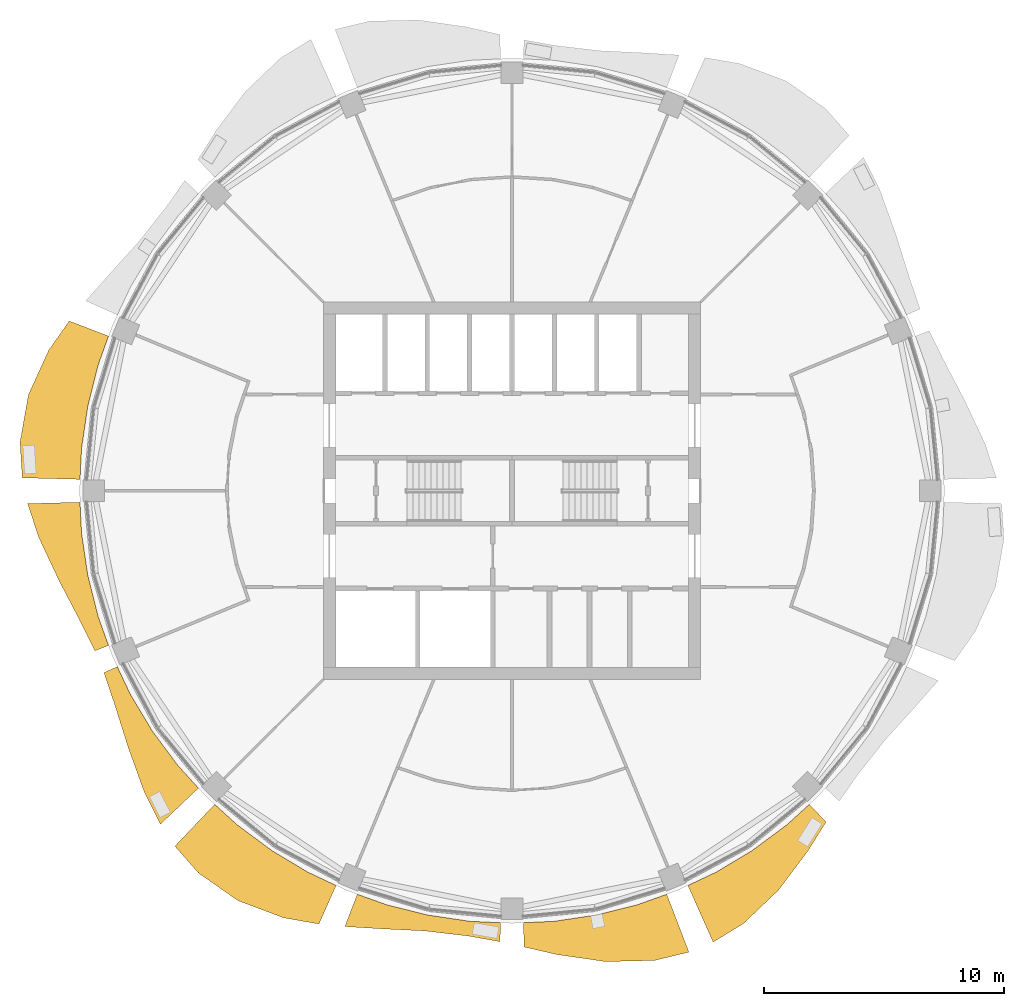
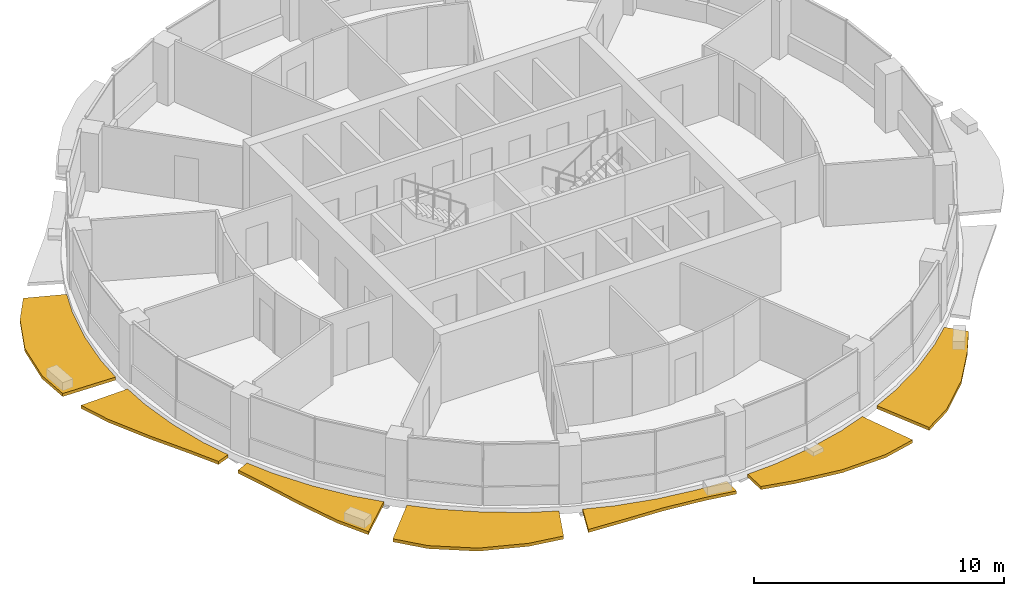
# One storey, part 12 of 15: 7 shading devices.
"""IFC4 building model written with IfcOpenShell, lengths in metres."""

from ifc_helpers import new_model, si_unit, direction, frame, origin, place, context, subcontext, project, spatial, polyline, outline, extrude, material, type_object, element, save


model = new_model("IFC4")

# Units and contexts
model_context = context("Model", 3, precision=1e-05, world=origin(), true_north=direction((0.0, 1.0)))
body_context = subcontext(model_context, "Body", "Model", "MODEL_VIEW")
ifc_project = project(units=[si_unit("LENGTHUNIT", "METRE"), si_unit("AREAUNIT", "SQUARE_METRE"), si_unit("VOLUMEUNIT", "CUBIC_METRE"), si_unit("PLANEANGLEUNIT", "RADIAN"), si_unit("MASSUNIT", "GRAM", prefix="KILO")], contexts=[model_context])

# Site, building, storey
site_placement = place(None, origin())
site = spatial("IfcSite", under=ifc_project, at=site_placement, CompositionType="ELEMENT")
building_placement = place(site_placement, origin())
building = spatial("IfcBuilding", under=site, at=building_placement, Name="Polderwave Tower", CompositionType="ELEMENT")
storey_placement = place(building_placement, frame((0.0, 0.0, 191.0)))
storey = spatial("IfcBuildingStorey", under=building, at=storey_placement, Name="L51", CompositionType="ELEMENT", Elevation=191.0)

# Shading devices
ifc_material = material(Name="Terracotta", Category="masonry")
shading_device_type = type_object("IfcShadingDeviceType", Name="Terracotta sunshade band", PredefinedType="USERDEFINED", material=ifc_material)
shading_device_1_placement = place(storey_placement, frame((0.0, 0.0, -0.35009765625)))
element("IfcShadingDevice", 1, at=shading_device_1_placement, inside=storey, type_object=shading_device_type, Name="Sunshade band L51 8", ObjectType="SUNSHADE", PredefinedType="USERDEFINED", context=body_context, shape_type="SweptSolid", body=[
    extrude(outline(polyline([(-16.8369140625, 6.45751953125), (-17.272705078125, 5.239501953125), (-17.703125, 3.521484375), (-17.963134765625, 1.769287109375), (-18.026611328125, 0.477294921875), (-20.436279296875, 0.541015625), (-20.531494140625, 2.022216796875), (-20.17822265625, 4.013671875), (-19.334716796875, 5.864990234375), (-18.4775390625, 7.0869140625), (-16.8369140625, 6.45751953125)])), origin(), (0.0, 0.0, 1.0), 0.150146484375),
])
shading_device_2_placement = place(storey_placement, frame((0.0, 0.0, -0.35009765625)))
element("IfcShadingDevice", 2, at=shading_device_2_placement, inside=storey, type_object=shading_device_type, Name="Sunshade band L51 9", ObjectType="SUNSHADE", PredefinedType="USERDEFINED", context=body_context, shape_type="SweptSolid", body=[
    extrude(outline(polyline([(-18.026611328125, -0.477294921875), (-17.963134765625, -1.769287109375), (-17.703125, -3.521484375), (-17.272705078125, -5.239501953125), (-16.8369140625, -6.45751953125), (-17.4091796875, -6.677001953125), (-18.0087890625, -5.462890625), (-18.89794921875, -3.759033203125), (-19.75048828125, -1.9453125), (-20.212890625, -0.53515625), (-18.026611328125, -0.477294921875)])), origin(), (0.0, 0.0, 1.0), 0.150146484375),
])
shading_device_3_placement = place(storey_placement, frame((0.0, 0.0, -0.35009765625)))
element("IfcShadingDevice", 3, at=shading_device_3_placement, inside=storey, type_object=shading_device_type, Name="Sunshade band L51 10", ObjectType="SUNSHADE", PredefinedType="USERDEFINED", context=body_context, shape_type="SweptSolid", body=[
    extrude(outline(polyline([(-16.4716796875, -7.33935546875), (-15.918701171875, -8.5087890625), (-15.008056640625, -10.028076171875), (-13.952880859375, -11.45068359375), (-13.083984375, -12.4091796875), (-14.669921875, -13.913330078125), (-15.339599609375, -12.589111328125), (-16.019287109375, -10.703857421875), (-16.595947265625, -8.87060546875), (-17.03125, -7.588623046875), (-16.4716796875, -7.33935546875)])), origin(), (0.0, 0.0, 1.0), 0.150146484375),
])
shading_device_4_placement = place(storey_placement, frame((0.0, 0.0, -0.35009765625)))
element("IfcShadingDevice", 4, at=shading_device_4_placement, inside=storey, type_object=shading_device_type, Name="Sunshade band L51 11", ObjectType="SUNSHADE", PredefinedType="USERDEFINED", context=body_context, shape_type="SweptSolid", body=[
    extrude(outline(polyline([(-12.4091796875, -13.083984375), (-11.45068359375, -13.952880859375), (-10.028076171875, -15.008056640625), (-8.5087890625, -15.918701171875), (-7.33935546875, -16.4716796875), (-8.055419921875, -18.07861328125), (-9.525146484375, -17.820556640625), (-11.430419921875, -17.10693359375), (-13.087890625, -15.94775390625), (-14.0673828125, -14.832275390625), (-12.4091796875, -13.083984375)])), origin(), (0.0, 0.0, 1.0), 0.150146484375),
])
shading_device_5_placement = place(storey_placement, frame((0.0, 0.0, -0.35009765625)))
element("IfcShadingDevice", 5, at=shading_device_5_placement, inside=storey, type_object=shading_device_type, Name="Sunshade band L51 12", ObjectType="SUNSHADE", PredefinedType="USERDEFINED", context=body_context, shape_type="SweptSolid", body=[
    extrude(outline(polyline([(-6.45751953125, -16.8369140625), (-5.239501953125, -17.272705078125), (-3.521484375, -17.703125), (-1.769287109375, -17.963134765625), (-0.477294921875, -18.026611328125), (-0.498046875, -18.815673828125), (-1.829833984375, -18.5791015625), (-3.6533203125, -18.36669921875), (-5.543212890625, -18.27294921875), (-6.974365234375, -18.18408203125), (-6.45751953125, -16.8369140625)])), origin(), (0.0, 0.0, 1.0), 0.150146484375),
])
shading_device_6_placement = place(storey_placement, frame((0.0, 0.0, -0.35009765625)))
element("IfcShadingDevice", 6, at=shading_device_6_placement, inside=storey, type_object=shading_device_type, Name="Sunshade band L51 13", ObjectType="SUNSHADE", PredefinedType="USERDEFINED", context=body_context, shape_type="SweptSolid", body=[
    extrude(outline(polyline([(0.477294921875, -18.026611328125), (1.769287109375, -17.963134765625), (3.521484375, -17.703125), (5.239501953125, -17.272705078125), (6.45751953125, -16.8369140625), (7.384033203125, -19.252685546875), (5.9453125, -19.59912109375), (3.907958984375, -19.646728515625), (1.90673828125, -19.360107421875), (0.50390625, -19.0390625), (0.477294921875, -18.026611328125)])), origin(), (0.0, 0.0, 1.0), 0.150146484375),
])
shading_device_7_placement = place(storey_placement, frame((0.0, 0.0, -0.35009765625)))
element("IfcShadingDevice", 7, at=shading_device_7_placement, inside=storey, type_object=shading_device_type, Name="Sunshade band L51 14", ObjectType="SUNSHADE", PredefinedType="USERDEFINED", context=body_context, shape_type="SweptSolid", body=[
    extrude(outline(polyline([(7.33935546875, -16.4716796875), (8.5087890625, -15.918701171875), (10.028076171875, -15.008056640625), (11.45068359375, -13.952880859375), (12.4091796875, -13.083984375), (13.107421875, -13.8203125), (12.3427734375, -15.03955078125), (11.130126953125, -16.657470703125), (9.6552734375, -18.0634765625), (8.392578125, -18.835205078125), (7.33935546875, -16.4716796875)])), origin(), (0.0, 0.0, 1.0), 0.150146484375),
])

save(model, "model.ifc")
